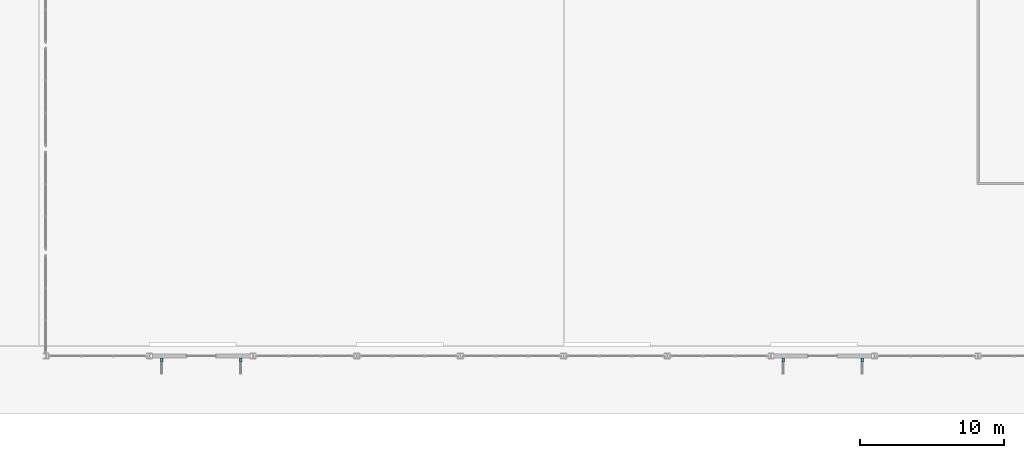
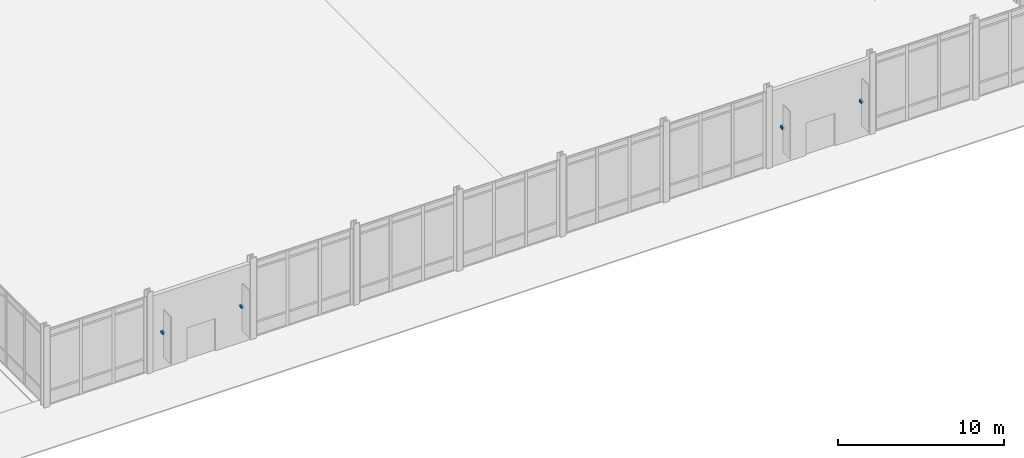
# One storey, part 81 of 104: 4 discrete accessories.
"""IFC4 building model written with IfcOpenShell, lengths in metres."""

from ifc_helpers import new_model, si_unit, direction, frame, origin, origin_2d, place, context, subcontext, project, spatial, rectangle, extrude, material, type_object, element, save


model = new_model("IFC4")

# Units and contexts
model_context = context("Model", 3, precision=1e-05, world=origin(), true_north=direction((0.0, 1.0)))
body_context = subcontext(model_context, "Body", "Model", "MODEL_VIEW")
ifc_project = project(units=[si_unit("LENGTHUNIT", "METRE"), si_unit("AREAUNIT", "SQUARE_METRE"), si_unit("VOLUMEUNIT", "CUBIC_METRE"), si_unit("PLANEANGLEUNIT", "RADIAN"), si_unit("MASSUNIT", "GRAM", prefix="KILO")], contexts=[model_context])

# Site, building, storey
site_placement = place(None, origin())
site = spatial("IfcSite", under=ifc_project, at=site_placement, CompositionType="ELEMENT")
building_placement = place(site_placement, origin())
building = spatial("IfcBuilding", under=site, at=building_placement, Name="Vaelcorin Mobility Hub", CompositionType="ELEMENT")
storey_placement = place(building_placement, origin())
storey = spatial("IfcBuildingStorey", under=building, at=storey_placement, Name="L00", CompositionType="ELEMENT", Elevation=0.0)

# Discrete accessories
ifc_material = material(Name="Galvanised structural steel ASTM A36", Category="steel")
discrete_accessory_type = type_object("IfcDiscreteAccessoryType", Name="ACC-BRK-FIN", PredefinedType="BRACKET", material=ifc_material)
for number, where, z_axis, x_axis, name in (
    (1, (44.050048828125, 5.739990234375, 2.669921875), (0.0, 0.0, 1.0), (1.0, 0.0, 0.0), "Concourse Portal Fin Bracket 01"),
    (2, (49.550048828125, 5.739990234375, 2.669921875), (0.0, 0.0, 1.0), (1.0, 0.0, 0.0), "Concourse Portal Fin Bracket 02"),
    (3, (87.25, 5.739990234375, 2.669921875), (0.0, 0.0, 1.0), (1.0, 0.0, 0.0), "Concourse Portal Fin Bracket 03"),
    (4, (92.75, 5.739990234375, 2.669921875), (0.0, 0.0, 1.0), (1.0, 0.0, 0.0), "Concourse Portal Fin Bracket 04"),
):
    element("IfcDiscreteAccessory", number, at=place(storey_placement, frame(where, z_axis=z_axis, x_axis=x_axis)), inside=storey, type_object=discrete_accessory_type, Name=name, PredefinedType="BRACKET", context=body_context, shape_type="SweptSolid", body=[
        extrude(rectangle(XDim=0.159912109375, YDim=0.280029296875, at=origin_2d()), origin(), (0.0, 0.0, 1.0), 0.159912109375),
    ])

save(model, "model.ifc")
